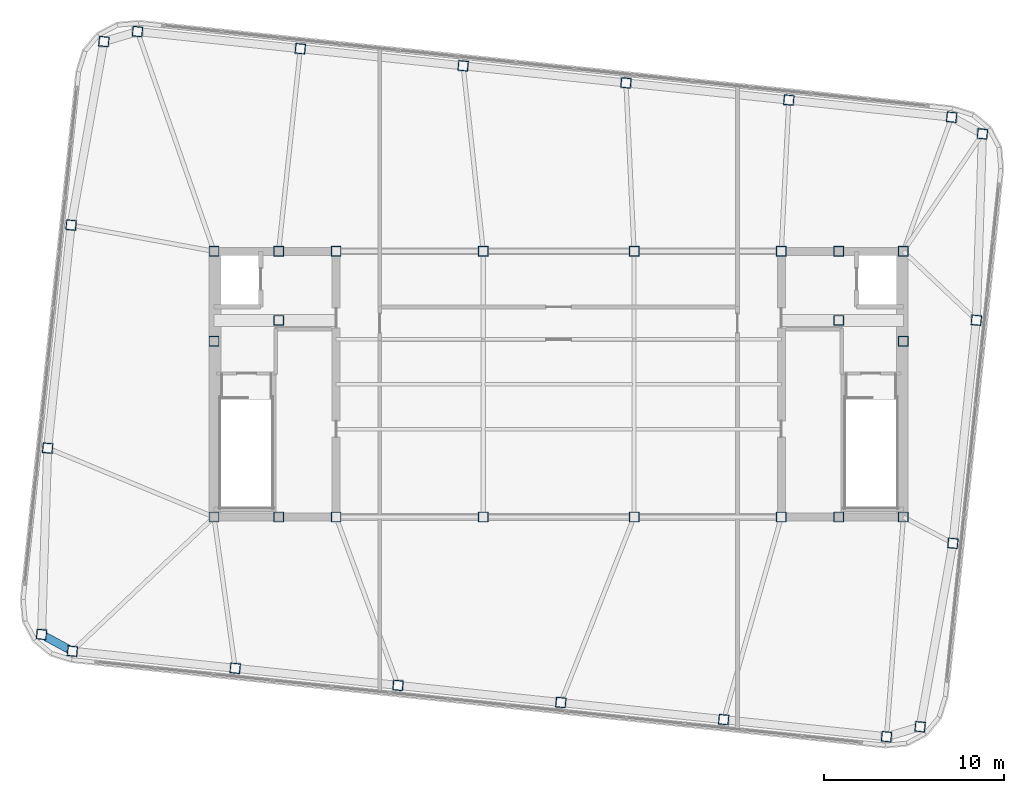
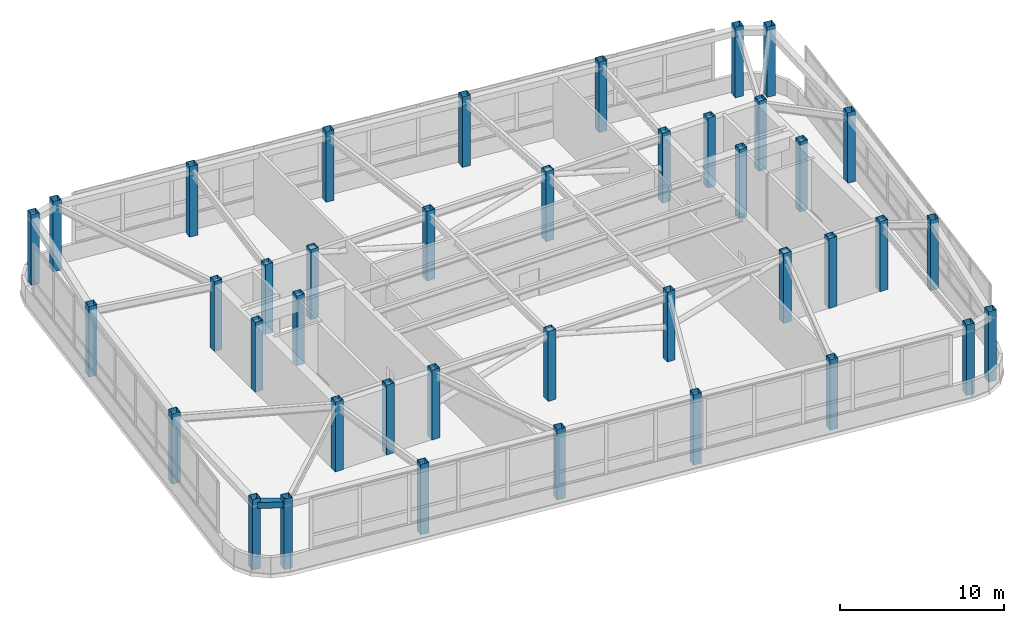
# One storey, part 1 of 21: 40 columns, 1 beam.
"""IFC4 building model written with IfcOpenShell, lengths in metres."""

from ifc_helpers import new_model, si_unit, direction, frame, origin, origin_2d, place, context, subcontext, project, spatial, hollow_rectangle, extrude, material, material_profile, profile_set, type_object, element, save


model = new_model("IFC4")

# Units and contexts
model_context = context("Model", 3, precision=1e-05, world=origin(), true_north=direction((0.0, 1.0)))
body_context = subcontext(model_context, "Body", "Model", "MODEL_VIEW")
ifc_project = project(units=[si_unit("LENGTHUNIT", "METRE"), si_unit("AREAUNIT", "SQUARE_METRE"), si_unit("VOLUMEUNIT", "CUBIC_METRE"), si_unit("PLANEANGLEUNIT", "RADIAN"), si_unit("MASSUNIT", "GRAM", prefix="KILO")], contexts=[model_context])

# Site, building, storey
site_placement = place(None, origin())
site = spatial("IfcSite", under=ifc_project, at=site_placement, CompositionType="ELEMENT")
building_placement = place(site_placement, origin())
building = spatial("IfcBuilding", under=site, at=building_placement, Name="Voryun Gate Residences", CompositionType="ELEMENT")
storey_placement = place(building_placement, frame((0.0, 0.0, 337.199951171875)))
storey = spatial("IfcBuildingStorey", under=building, at=storey_placement, Name="L82", CompositionType="ELEMENT", Elevation=337.199951171875)

# Columns
ifc_material_1 = material(Name="Steel SM355", Category="steel")
ifc_material_profile_1 = material_profile(ifc_material_1, hollow_rectangle(XDim=0.550048828125, YDim=0.550048828125, WallThickness=0.02197265625, at=origin_2d()), Name="BOX-550x550x22")
ifc_profile_set_1 = profile_set([ifc_material_profile_1], Name="Steel SM355")
column_type = type_object("IfcColumnType", Name="COL_CROWN_550", PredefinedType="COLUMN", material=ifc_profile_set_1)
for number, where, z_axis, x_axis, name in (
    (1, (-19.199951171875, -7.39990234375, 0.0), (0.0, 0.0, 1.0), (1.0, 0.0, 0.0), "L82 Core boundary column WC-SW"),
    (2, (-19.199951171875, 2.39990234375, 0.0), (0.0, 0.0, 1.0), (1.0, 0.0, 0.0), "L82 Core boundary column WC-MW"),
    (3, (-19.199951171875, 7.39990234375, 0.0), (0.0, 0.0, 1.0), (1.0, 0.0, 0.0), "L82 Core boundary column WC-NW"),
    (4, (-15.60009765625, -7.39990234375, 0.0), (0.0, 0.0, 1.0), (1.0, 0.0, 0.0), "L82 Core boundary column WC-SM"),
    (5, (-15.60009765625, 7.39990234375, 0.0), (0.0, 0.0, 1.0), (1.0, 0.0, 0.0), "L82 Core boundary column WC-NM"),
    (6, (-12.39990234375, -7.39990234375, 0.0), (0.0, 0.0, 1.0), (1.0, 0.0, 0.0), "L82 Core boundary column WC-SE"),
    (7, (-15.60009765625, 3.550048828125, 0.0), (0.0, 0.0, 1.0), (1.0, 0.0, 0.0), "L82 Core boundary column WC-MM"),
    (8, (-12.39990234375, 7.39990234375, 0.0), (0.0, 0.0, 1.0), (1.0, 0.0, 0.0), "L82 Core boundary column WC-NE"),
    (9, (12.39990234375, -7.39990234375, 0.0), (0.0, 0.0, 1.0), (1.0, 0.0, 0.0), "L82 Core boundary column EC-SW"),
    (10, (15.60009765625, 3.550048828125, 0.0), (0.0, 0.0, 1.0), (1.0, 0.0, 0.0), "L82 Core boundary column EC-MM"),
    (11, (12.39990234375, 7.39990234375, 0.0), (0.0, 0.0, 1.0), (1.0, 0.0, 0.0), "L82 Core boundary column EC-NW"),
    (12, (15.60009765625, -7.39990234375, 0.0), (0.0, 0.0, 1.0), (1.0, 0.0, 0.0), "L82 Core boundary column EC-SM"),
    (13, (15.60009765625, 7.39990234375, 0.0), (0.0, 0.0, 1.0), (1.0, 0.0, 0.0), "L82 Core boundary column EC-NM"),
    (14, (19.199951171875, -7.39990234375, 0.0), (0.0, 0.0, 1.0), (1.0, 0.0, 0.0), "L82 Core boundary column EC-SE"),
    (15, (19.199951171875, 2.39990234375, 0.0), (0.0, 0.0, 1.0), (1.0, 0.0, 0.0), "L82 Core boundary column EC-ME"),
    (16, (19.199951171875, 7.39990234375, 0.0), (0.0, 0.0, 1.0), (1.0, 0.0, 0.0), "L82 Core boundary column EC-NE"),
    (17, (-4.199951171875, -7.39990234375, 0.0), (0.0, 0.0, 1.0), (1.0, 0.0, 0.0), "L82 Interior spine column SP-WS"),
    (18, (-4.199951171875, 7.39990234375, 0.0), (0.0, 0.0, 1.0), (1.0, 0.0, 0.0), "L82 Interior spine column SP-WN"),
    (19, (4.199951171875, -7.39990234375, 0.0), (0.0, 0.0, 1.0), (1.0, 0.0, 0.0), "L82 Interior spine column SP-ES"),
    (20, (4.199951171875, 7.39990234375, 0.0), (0.0, 0.0, 1.0), (1.0, 0.0, 0.0), "L82 Interior spine column SP-EN"),
):
    element("IfcColumn", number, at=place(storey_placement, frame(where, z_axis=z_axis, x_axis=x_axis)), inside=storey, type_object=column_type, Name=name, PredefinedType="COLUMN", context=body_context, shape_type="SweptSolid", body=[
        extrude(hollow_rectangle(XDim=0.550048828125, YDim=0.550048828125, WallThickness=0.02197265625, at=origin_2d()), origin(), (0.0, 0.0, 1.0), 5.219970703125),
    ])
for number, where, z_axis, x_axis, name in (
    (21, (-27.088623046875, -14.871826171875, 0.0), (0.0, 0.0, 1.0), (0.994521895368, -0.104528463268, 0.0), "L82 Crown Frame column S1"),
    (22, (-18.0185546875, -15.824951171875, 0.0), (0.0, 0.0, 1.0), (0.994521895368, -0.104528463268, 0.0), "L82 Crown Frame column S2"),
    (23, (-8.948486328125, -16.7783203125, 0.0), (0.0, 0.0, 1.0), (0.994521895368, -0.104528463268, 0.0), "L82 Crown Frame column S3"),
    (24, (0.121337890625, -17.731689453125, 0.0), (0.0, 0.0, 1.0), (0.994521895368, -0.104528463268, 0.0), "L82 Crown Frame column S4"),
    (25, (9.19140625, -18.684814453125, 0.0), (0.0, 0.0, 1.0), (0.994521895368, -0.104528463268, 0.0), "L82 Crown Frame column S5"),
    (26, (18.261474609375, -19.63818359375, 0.0), (0.0, 0.0, 1.0), (0.994521895368, -0.104528463268, 0.0), "L82 Crown Frame column S6"),
    (27, (20.1328125, -19.083984375, 0.0), (0.0, 0.0, 1.0), (0.994521895368, -0.104528463268, 0.0), "L82 Crown Frame column CSE"),
    (28, (21.958251953125, -8.861572265625, 0.0), (0.0, 0.0, 1.0), (0.994521895368, -0.104528463268, 0.0), "L82 Crown Frame column E1"),
    (29, (23.263916015625, 3.56201171875, 0.0), (0.0, 0.0, 1.0), (0.994521895368, -0.104528463268, 0.0), "L82 Crown Frame column E2"),
    (30, (23.603759765625, 13.9404296875, 0.0), (0.0, 0.0, 1.0), (0.994521895368, -0.104528463268, 0.0), "L82 Crown Frame column CNE"),
    (31, (21.888671875, 14.871826171875, 0.0), (0.0, 0.0, 1.0), (0.994521895368, -0.104528463268, 0.0), "L82 Crown Frame column N1"),
    (32, (12.818603515625, 15.824951171875, 0.0), (0.0, 0.0, 1.0), (0.994521895368, -0.104528463268, 0.0), "L82 Crown Frame column N2"),
    (33, (3.74853515625, 16.7783203125, 0.0), (0.0, 0.0, 1.0), (0.994521895368, -0.104528463268, 0.0), "L82 Crown Frame column N3"),
    (34, (-5.321533203125, 17.731689453125, 0.0), (0.0, 0.0, 1.0), (0.994521895368, -0.104528463268, 0.0), "L82 Crown Frame column N4"),
    (35, (-14.3916015625, 18.684814453125, 0.0), (0.0, 0.0, 1.0), (0.994521895368, -0.104528463268, 0.0), "L82 Crown Frame column N5"),
    (36, (-23.46142578125, 19.63818359375, 0.0), (0.0, 0.0, 1.0), (0.994521895368, -0.104528463268, 0.0), "L82 Crown Frame column N6"),
    (37, (-25.332763671875, 19.083984375, 0.0), (0.0, 0.0, 1.0), (0.994521895368, -0.104528463268, 0.0), "L82 Crown Frame column CNW"),
    (38, (-27.158203125, 8.861572265625, 0.0), (0.0, 0.0, 1.0), (0.994521895368, -0.104528463268, 0.0), "L82 Crown Frame column W1"),
    (39, (-28.464111328125, -3.56201171875, 0.0), (0.0, 0.0, 1.0), (0.994521895368, -0.104528463268, 0.0), "L82 Crown Frame column W2"),
    (40, (-28.8037109375, -13.9404296875, 0.0), (0.0, 0.0, 1.0), (0.994521895368, -0.104528463268, 0.0), "L82 Crown Frame column CSW"),
):
    element("IfcColumn", number, at=place(storey_placement, frame(where, z_axis=z_axis, x_axis=x_axis)), inside=storey, type_object=column_type, Name=name, PredefinedType="COLUMN", context=body_context, shape_type="SweptSolid", body=[
        extrude(hollow_rectangle(XDim=0.550048828125, YDim=0.550048828125, WallThickness=0.02197265625, at=origin_2d()), origin(), (0.0, 0.0, 1.0), 5.26513671875),
    ])

# Beam
ifc_material_2 = material(Name="Steel SM355", Category="steel")
ifc_material_profile_2 = material_profile(ifc_material_2, hollow_rectangle(XDim=0.449951171875, YDim=0.449951171875, WallThickness=0.01806640625, at=origin_2d()), Name="BOX-450x450x18")
ifc_profile_set_2 = profile_set([ifc_material_profile_2], Name="Steel SM355")
beam_type = type_object("IfcBeamType", Name="BM_CROWN_RING", PredefinedType="BEAM", material=ifc_profile_set_2)
beam_placement = place(storey_placement, frame((-28.8037109375, -13.9404296875, 4.735107421875), z_axis=(0.87877849121, -0.477229885262, 0.0), x_axis=(0.477229885262, 0.87877849121, 0.0)))
element("IfcBeam", 41, at=beam_placement, inside=storey, type_object=beam_type, Name="BM-L82-SPAND-20", PredefinedType="BEAM", context=body_context, shape_type="SweptSolid", body=[
    extrude(hollow_rectangle(XDim=0.449951171875, YDim=0.449951171875, WallThickness=0.01806640625, at=origin_2d()), origin(), (0.0, 0.0, 1.0), 1.95166015625),
])

save(model, "model.ifc")
